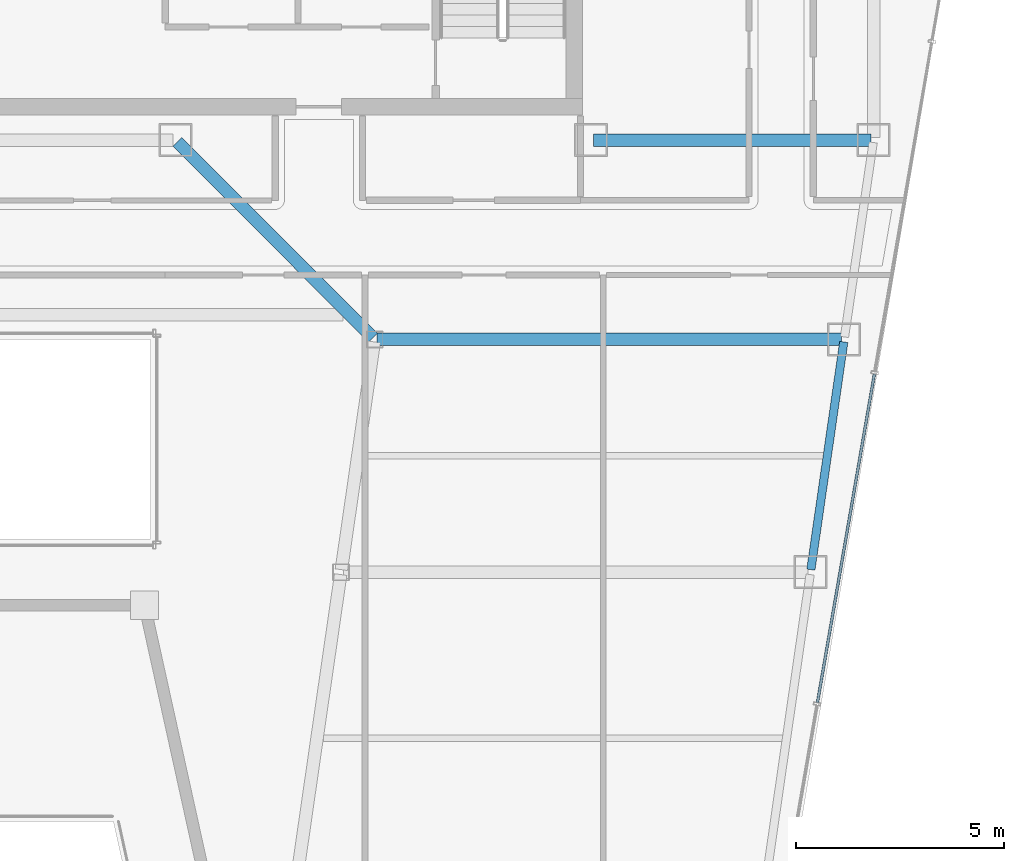
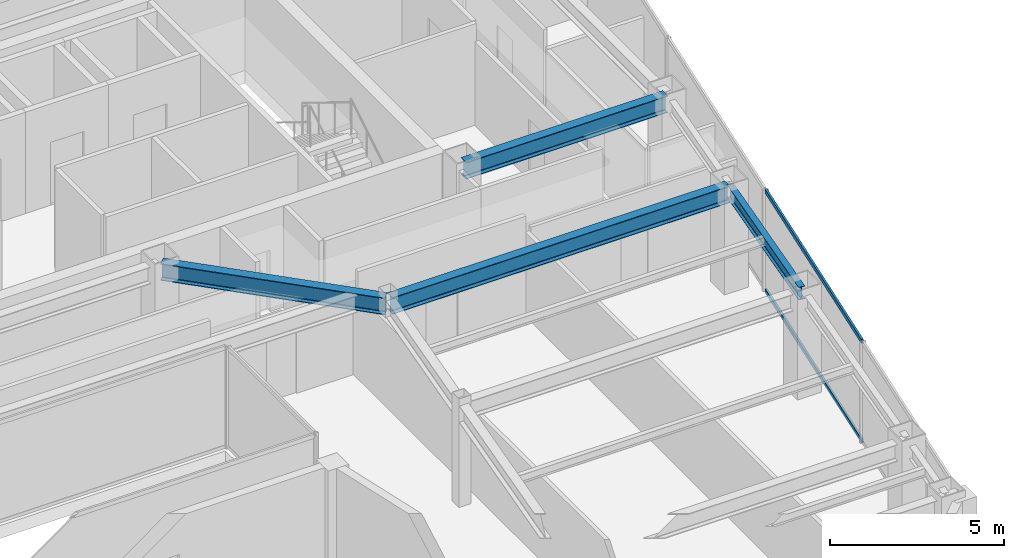
# One storey, part 14 of 31: 4 beams, 2 members, 1 element without a shape of its own.
"""IFC4 building model written with IfcOpenShell, lengths in metres."""

from ifc_helpers import new_model, si_unit, direction, frame, origin, origin_2d, place, context, subcontext, project, spatial, hollow_rectangle, i_section, extrude, material, material_profile, profile_set, type_object, element, aggregate, save


model = new_model("IFC4")

# Units and contexts
model_context = context("Model", 3, precision=1e-05, world=origin(), true_north=direction((0.0, 1.0)))
body_context = subcontext(model_context, "Body", "Model", "MODEL_VIEW")
ifc_project = project(units=[si_unit("LENGTHUNIT", "METRE"), si_unit("AREAUNIT", "SQUARE_METRE"), si_unit("VOLUMEUNIT", "CUBIC_METRE"), si_unit("PLANEANGLEUNIT", "RADIAN"), si_unit("MASSUNIT", "GRAM", prefix="KILO")], contexts=[model_context])

# Site, building, storey
site_placement = place(None, origin())
site = spatial("IfcSite", under=ifc_project, at=site_placement, CompositionType="ELEMENT")
building_placement = place(site_placement, origin())
building = spatial("IfcBuilding", under=site, at=building_placement, Name="Saevonmaru Cultural Tower", CompositionType="ELEMENT")
storey_placement = place(building_placement, frame((0.0, 0.0, 230.60009765625)))
storey = spatial("IfcBuildingStorey", under=building, at=storey_placement, Name="L53", CompositionType="ELEMENT", Elevation=230.60009765625)

# Beams
ifc_material_1 = material(Name="Steel SM355", Category="steel")
ifc_material_profile_1 = material_profile(ifc_material_1, i_section(OverallWidth=0.300048828125, OverallDepth=0.587890625, WebThickness=0.011962890625, FlangeThickness=0.02001953125, FilletRadius=0.02392578125, at=origin_2d()), Name="H-588x300x12x20")
ifc_profile_set_1 = profile_set([ifc_material_profile_1], Name="Steel SM355")
beam_type_1 = type_object("IfcBeamType", Name="BM-G-H588", PredefinedType="BEAM", material=ifc_profile_set_1)
beam_1_placement = place(storey_placement, frame((46.4599609375, 42.39990234375, 3.255859375), z_axis=(1.0, 0.0, 0.0), x_axis=(0.0, 1.0, 0.0)))
element("IfcBeam", 1, at=beam_1_placement, inside=storey, type_object=beam_type_1, Name="L53 Core South Girder 5", PredefinedType="BEAM", context=body_context, shape_type="SweptSolid", body=[
    extrude(i_section(OverallWidth=0.300048828125, OverallDepth=0.587890625, WebThickness=0.011962890625, FlangeThickness=0.02001953125, FilletRadius=0.02392578125, at=origin_2d()), origin(), (0.0, 0.0, 1.0), 6.679931640625),
])
beam_2_placement = place(storey_placement, frame((41.149658203125, 37.642578125, 3.255859375), z_axis=(-0.706538566564, 0.707674539572, 0.0), x_axis=(-0.707674539572, -0.706538566564, 0.0)))
element("IfcBeam", 2, at=beam_2_placement, inside=storey, type_object=beam_type_1, Name="L53 East Atrium Girder 4", PredefinedType="BEAM", context=body_context, shape_type="SweptSolid", body=[
    extrude(i_section(OverallWidth=0.300048828125, OverallDepth=0.587890625, WebThickness=0.011962890625, FlangeThickness=0.02001953125, FilletRadius=0.02392578125, at=origin_2d()), origin(), (0.0, 0.0, 1.0), 6.662353515625),
])
beam_3_placement = place(storey_placement, frame((41.251953125, 37.60009765625, 3.255859375), z_axis=(1.0, 0.0, 0.0), x_axis=(0.0, 1.0, 0.0)))
element("IfcBeam", 3, at=beam_3_placement, inside=storey, type_object=beam_type_1, Name="L53 East Wing Transverse Girder 4", PredefinedType="BEAM", context=body_context, shape_type="SweptSolid", body=[
    extrude(i_section(OverallWidth=0.300048828125, OverallDepth=0.587890625, WebThickness=0.011962890625, FlangeThickness=0.02001953125, FilletRadius=0.02392578125, at=origin_2d()), origin(), (0.0, 0.0, 1.0), 11.179931640625),
])
ifc_material_profile_2 = material_profile(ifc_material_1, i_section(OverallWidth=0.199951171875, OverallDepth=0.449951171875, WebThickness=0.009033203125, FlangeThickness=0.013916015625, FilletRadius=0.01806640625, at=origin_2d()), Name="H-450x200x9x14")
ifc_profile_set_2 = profile_set([ifc_material_profile_2], Name="Steel SM355")
beam_type_2 = type_object("IfcBeamType", Name="BM-SP-H450", PredefinedType="SPANDREL", material=ifc_profile_set_2)
beam_4_placement = place(storey_placement, frame((51.691650390625, 32.059326171875, 3.324951171875), z_axis=(0.142964121327, 0.989727871697, 0.0), x_axis=(-0.989727871697, 0.142964121327, 0.0)))
element("IfcBeam", 4, at=beam_4_placement, inside=storey, type_object=beam_type_2, Name="L53 East Splayed Spandrel 3", PredefinedType="SPANDREL", context=body_context, shape_type="SweptSolid", body=[
    extrude(i_section(OverallWidth=0.199951171875, OverallDepth=0.449951171875, WebThickness=0.009033203125, FlangeThickness=0.013916015625, FilletRadius=0.01806640625, at=origin_2d()), origin(), (0.0, 0.0, 1.0), 5.5380859375),
])

# Curtain wall, members
ifc_material_2 = material(Name="Satin Bronze Anodised Aluminium", Category="aluminium")
curtain_wall_type = type_object("IfcCurtainWallType", Name="CW-SKY-GLZ", PredefinedType="NOTDEFINED", material=ifc_material_2)
curtain_wall_placement = place(storey_placement, origin())
curtain_wall = element("IfcCurtainWall", 5, at=curtain_wall_placement, inside=storey, type_object=curtain_wall_type, Name="L53 Unitised Curtain Wall E8", PredefinedType="NOTDEFINED")
ifc_material_profile_3 = material_profile(ifc_material_2, hollow_rectangle(XDim=0.06494140625, YDim=0.14990234375, WallThickness=0.00390625, at=origin_2d()), Name="ALU-TRAN-150x65x4")
ifc_profile_set_3 = profile_set([ifc_material_profile_3], Name="Satin Bronze Anodised Aluminium")
member_type = type_object("IfcMemberType", Name="TR-CW-150x65", PredefinedType="USERDEFINED", material=ifc_profile_set_3)
member_1_placement = place(storey_placement, frame((51.8505859375, 28.861572265625, 0.032470703125), z_axis=(0.170804445888, 0.985304948361, 0.0), x_axis=(-0.985304948361, 0.170804445888, 0.0)))
member_1 = element("IfcMember", 6, at=member_1_placement, type_object=member_type, Name="CW-TW-L53-E8 transom 2.1", ObjectType="TRANSOM", PredefinedType="USERDEFINED", context=body_context, shape_type="SweptSolid", body=[
    extrude(hollow_rectangle(XDim=0.06494140625, YDim=0.14990234375, WallThickness=0.00390625, at=origin_2d()), origin(), (0.0, 0.0, 1.0), 8.0244140625),
])
member_2_placement = place(storey_placement, frame((51.8505859375, 28.861572265625, 3.517333984375), z_axis=(0.170804445888, 0.985304948361, 0.0), x_axis=(-0.985304948361, 0.170804445888, 0.0)))
member_2 = element("IfcMember", 7, at=member_2_placement, type_object=member_type, Name="CW-TW-L53-E8 transom 2.2", ObjectType="TRANSOM", PredefinedType="USERDEFINED", context=body_context, shape_type="SweptSolid", body=[
    extrude(hollow_rectangle(XDim=0.06494140625, YDim=0.14990234375, WallThickness=0.00390625, at=origin_2d()), origin(), (0.0, 0.0, 1.0), 8.0244140625),
])
aggregate(curtain_wall, [member_1, member_2])

save(model, "model.ifc")
